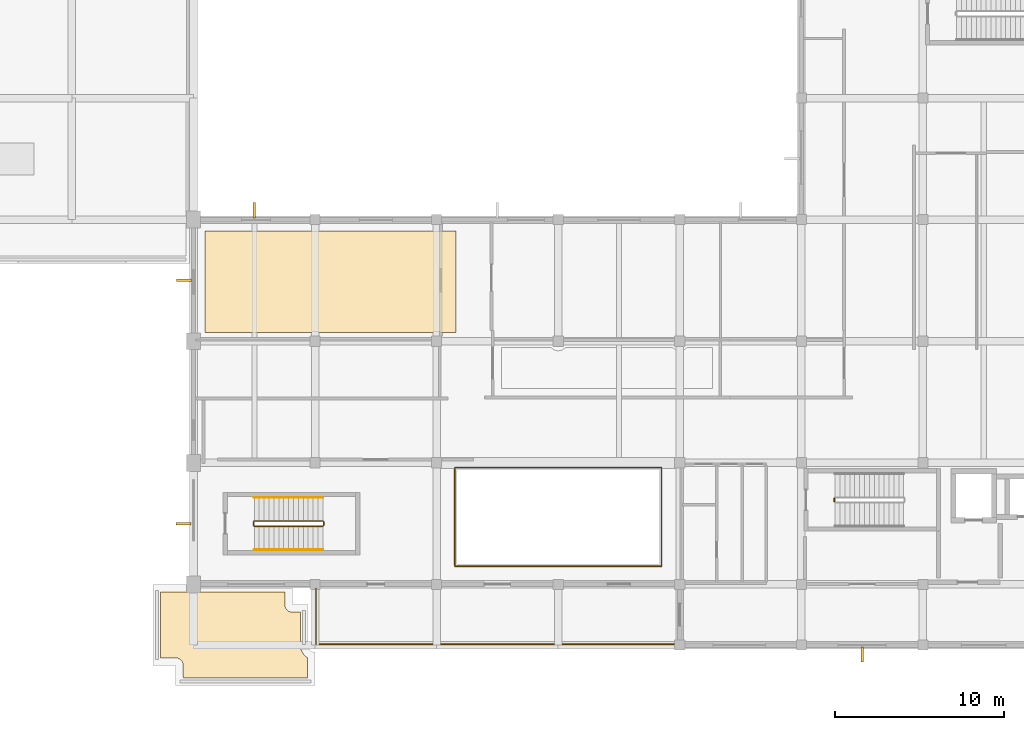
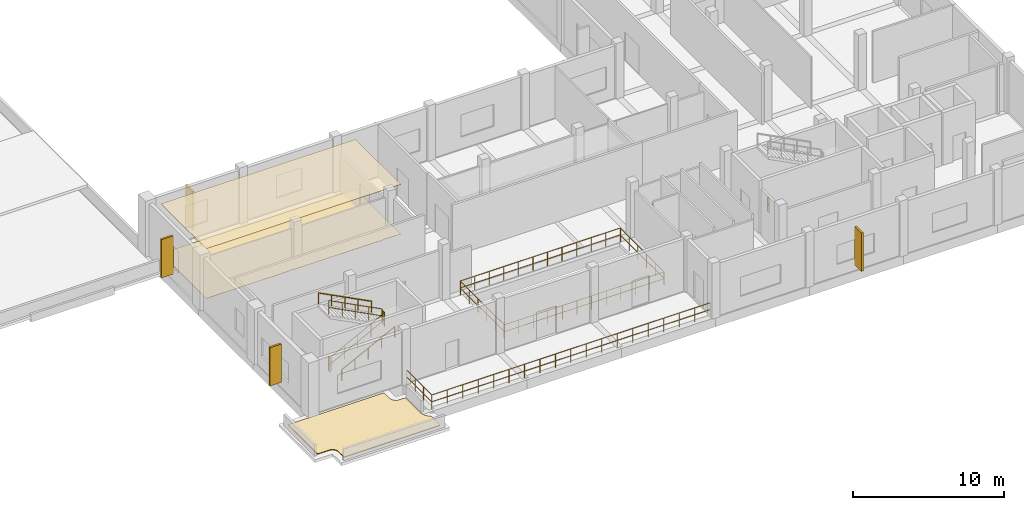
# One storey, part 9 of 14: 13 railings, 4 shading devices, 3 coverings.
"""IFC4 building model written with IfcOpenShell, lengths in metres."""

from ifc_helpers import new_model, si_unit, direction, frame, origin, origin_2d, place, context, subcontext, project, spatial, polyline, rectangle, circle, outline, extrude, material, layer, layer_set, type_object, element, save


model = new_model("IFC4")

# Units and contexts
model_context = context("Model", 3, precision=1e-05, world=origin(), true_north=direction((0.0, 1.0)))
body_context = subcontext(model_context, "Body", "Model", "MODEL_VIEW")
ifc_project = project(units=[si_unit("LENGTHUNIT", "METRE"), si_unit("AREAUNIT", "SQUARE_METRE"), si_unit("VOLUMEUNIT", "CUBIC_METRE"), si_unit("PLANEANGLEUNIT", "RADIAN"), si_unit("MASSUNIT", "GRAM", prefix="KILO")], contexts=[model_context])

# Site, building, storey
site_placement = place(None, origin())
site = spatial("IfcSite", under=ifc_project, at=site_placement, CompositionType="ELEMENT")
building_placement = place(site_placement, origin())
building = spatial("IfcBuilding", under=site, at=building_placement, Name="Seraya Terrace Polytechnic", CompositionType="ELEMENT")
storey_placement = place(building_placement, frame((0.0, 0.0, 27.89990234375)))
storey = spatial("IfcBuildingStorey", under=building, at=storey_placement, Name="L06", CompositionType="ELEMENT", Elevation=27.89990234375)

# Shading devices
ifc_material_1 = material(Name="Precast concrete C40/50", Category="concrete")
shading_device_type = type_object("IfcShadingDeviceType", Name="BS-F1", PredefinedType="JALOUSIE", material=ifc_material_1)
for number, where, z_axis, x_axis, name in (
    (1, (82.800048828125, 3.0400390625, 0.449951171875), (0.0, 0.0, 1.0), (0.0, -1.0, 0.0), "Precast concrete brise-soleil fin L06"),
    (2, (42.60498046875, 10.800048828125, 0.449951171875), (0.0, 0.0, 1.0), (-1.0, 0.0, 0.0), "Precast concrete brise-soleil fin L06"),
    (3, (42.639892578125, 25.199951171875, 0.449951171875), (0.0, 0.0, 1.0), (-1.0, 0.0, 0.0), "Precast concrete brise-soleil fin L06"),
    (4, (46.800048828125, 29.360107421875, 0.449951171875), (0.0, 0.0, 1.0), (0.0, 1.0, 0.0), "Precast concrete brise-soleil fin L06"),
):
    element("IfcShadingDevice", number, at=place(storey_placement, frame(where, z_axis=z_axis, x_axis=x_axis)), inside=storey, type_object=shading_device_type, Name=name, PredefinedType="JALOUSIE", context=body_context, shape_type="SweptSolid", body=[
        extrude(rectangle(XDim=0.89990234375, YDim=0.14990234375, at=origin_2d()), origin(), (0.0, 0.0, 1.0), 3.10009765625),
    ])

# Coverings
ifc_material_2 = material(Name="Acoustic mineral fibre and timber baffle ceiling", Category="wood")
ifc_layer_1 = layer(ifc_material_2, 0.0400390625, Name="CL-01")
ifc_layer_set_1 = layer_set([ifc_layer_1], Name="Acoustic mineral fibre and timber baffle ceiling")
covering_type_1 = type_object("IfcCoveringType", Name="CL-01", PredefinedType="CEILING", material=ifc_layer_set_1)
covering_1_placement = place(storey_placement, frame((0.0, 0.0, 4.010009765625)))
element("IfcCovering", 5, at=covering_1_placement, inside=storey, type_object=covering_type_1, Name="Acoustic suspended ceiling L06-A02", PredefinedType="CEILING", context=body_context, shape_type="SweptSolid", body=[
    extrude(outline(polyline([(57.81982421875, 22.130615234375), (57.60009765625, 22.17431640625), (57.364990234375, 22.123291015625), (50.635009765625, 22.123291015625), (50.39990234375, 22.17431640625), (50.164794921875, 22.123291015625), (43.8701171875, 22.123291015625), (43.8701171875, 28.1298828125), (58.760009765625, 28.1298828125), (58.760009765625, 22.123291015625), (57.81982421875, 22.130615234375)])), origin(), (0.0, 0.0, 1.0), 0.0400390625),
])
ifc_material_3 = material(Name="Heavy-duty epoxy and terrazzo floor finish")
ifc_layer_2 = layer(ifc_material_3, 0.02001953125, Name="FL-C1")
ifc_layer_set_2 = layer_set([ifc_layer_2], Name="Heavy-duty epoxy and terrazzo floor finish")
covering_type_2 = type_object("IfcCoveringType", Name="FL-C1", PredefinedType="FLOORING", material=ifc_layer_set_2)
covering_2_placement = place(storey_placement, origin())
element("IfcCovering", 6, at=covering_2_placement, inside=storey, type_object=covering_type_2, Name="Floor finish L06-A02", PredefinedType="FLOORING", context=body_context, shape_type="SweptSolid", body=[
    extrude(outline(polyline([(57.81982421875, 22.130615234375), (57.60009765625, 22.17431640625), (57.364990234375, 22.123291015625), (50.635009765625, 22.123291015625), (50.39990234375, 22.17431640625), (50.164794921875, 22.123291015625), (43.8701171875, 22.123291015625), (43.8701171875, 28.1298828125), (58.760009765625, 28.1298828125), (58.760009765625, 22.123291015625), (57.81982421875, 22.130615234375)])), origin(), (0.0, 0.0, 1.0), 0.02001953125),
])

# Railings
ifc_material_4 = material(Name="Steel S355J2", Category="steel")
railing_type_1 = type_object("IfcRailingType", Name="GR-01", PredefinedType="GUARDRAIL", material=ifc_material_4)
railing_1_placement = place(storey_placement, frame((50.4599609375, 3.659912109375, 0.0)))
element("IfcRailing", 7, at=railing_1_placement, inside=storey, type_object=railing_type_1, Name="Terrace perimeter guardrail TERR-L06-SW S1", PredefinedType="GUARDRAIL", context=body_context, shape_type="SweptSolid", body=[
    extrude(circle(Radius=0.02392578125, at=origin_2d()), frame((0.0, 0.0, 1.10595703125), z_axis=(1.0, 0.0, 0.0), x_axis=(0.0, 1.0, 0.0)), (0.0, 0.0, 1.0), 21.300048828125),
    extrude(circle(Radius=0.02392578125, at=origin_2d()), frame((0.0, 0.0, 0.550048828125), z_axis=(1.0, 0.0, 0.0), x_axis=(0.0, 1.0, 0.0)), (0.0, 0.0, 1.0), 21.300048828125),
    extrude(circle(Radius=0.02099609375, at=origin_2d()), origin(), (0.0, 0.0, 1.0), 1.081787109375),
    extrude(circle(Radius=0.02099609375, at=origin_2d()), frame((1.183349609375, 0.0, 0.0)), (0.0, 0.0, 1.0), 1.081787109375),
    extrude(circle(Radius=0.02099609375, at=origin_2d()), frame((2.36669921875, 0.0, 0.0)), (0.0, 0.0, 1.0), 1.081787109375),
    extrude(circle(Radius=0.02099609375, at=origin_2d()), frame((3.550048828125, 0.0, 0.0)), (0.0, 0.0, 1.0), 1.081787109375),
    extrude(circle(Radius=0.02099609375, at=origin_2d()), frame((4.7333984375, 0.0, 0.0)), (0.0, 0.0, 1.0), 1.081787109375),
    extrude(circle(Radius=0.02099609375, at=origin_2d()), frame((5.916748046875, 0.0, 0.0)), (0.0, 0.0, 1.0), 1.081787109375),
    extrude(circle(Radius=0.02099609375, at=origin_2d()), frame((7.10009765625, 0.0, 0.0)), (0.0, 0.0, 1.0), 1.081787109375),
    extrude(circle(Radius=0.02099609375, at=origin_2d()), frame((8.283447265625, 0.0, 0.0)), (0.0, 0.0, 1.0), 1.081787109375),
    extrude(circle(Radius=0.02099609375, at=origin_2d()), frame((9.466796875, 0.0, 0.0)), (0.0, 0.0, 1.0), 1.081787109375),
    extrude(circle(Radius=0.02099609375, at=origin_2d()), frame((10.64990234375, 0.0, 0.0)), (0.0, 0.0, 1.0), 1.081787109375),
    extrude(circle(Radius=0.02099609375, at=origin_2d()), frame((11.833251953125, 0.0, 0.0)), (0.0, 0.0, 1.0), 1.081787109375),
    extrude(circle(Radius=0.02099609375, at=origin_2d()), frame((13.0166015625, 0.0, 0.0)), (0.0, 0.0, 1.0), 1.081787109375),
    extrude(circle(Radius=0.02099609375, at=origin_2d()), frame((14.199951171875, 0.0, 0.0)), (0.0, 0.0, 1.0), 1.081787109375),
    extrude(circle(Radius=0.02099609375, at=origin_2d()), frame((15.38330078125, 0.0, 0.0)), (0.0, 0.0, 1.0), 1.081787109375),
    extrude(circle(Radius=0.02099609375, at=origin_2d()), frame((16.566650390625, 0.0, 0.0)), (0.0, 0.0, 1.0), 1.081787109375),
    extrude(circle(Radius=0.02099609375, at=origin_2d()), frame((17.75, 0.0, 0.0)), (0.0, 0.0, 1.0), 1.081787109375),
    extrude(circle(Radius=0.02099609375, at=origin_2d()), frame((18.933349609375, 0.0, 0.0)), (0.0, 0.0, 1.0), 1.081787109375),
    extrude(circle(Radius=0.02099609375, at=origin_2d()), frame((20.11669921875, 0.0, 0.0)), (0.0, 0.0, 1.0), 1.081787109375),
    extrude(circle(Radius=0.02099609375, at=origin_2d()), frame((21.300048828125, 0.0, 0.0)), (0.0, 0.0, 1.0), 1.081787109375),
])
railing_2_placement = place(storey_placement, frame((50.4599609375, 6.9599609375, 0.0)))
element("IfcRailing", 8, at=railing_2_placement, inside=storey, type_object=railing_type_1, Name="Terrace perimeter guardrail TERR-L06-SW W1", PredefinedType="GUARDRAIL", context=body_context, shape_type="SweptSolid", body=[
    extrude(circle(Radius=0.02392578125, at=origin_2d()), frame((0.0, 0.0, 1.10595703125), z_axis=(0.0, -1.0, 0.0), x_axis=(1.0, 0.0, 0.0)), (0.0, 0.0, 1.0), 3.300048828125),
    extrude(circle(Radius=0.02392578125, at=origin_2d()), frame((0.0, 0.0, 0.550048828125), z_axis=(0.0, -1.0, 0.0), x_axis=(1.0, 0.0, 0.0)), (0.0, 0.0, 1.0), 3.300048828125),
    extrude(circle(Radius=0.02099609375, at=origin_2d()), origin(), (0.0, 0.0, 1.0), 1.081787109375),
    extrude(circle(Radius=0.02099609375, at=origin_2d()), frame((0.0, -1.10009765625, 0.0)), (0.0, 0.0, 1.0), 1.081787109375),
    extrude(circle(Radius=0.02099609375, at=origin_2d()), frame((0.0, -2.199951171875, 0.0)), (0.0, 0.0, 1.0), 1.081787109375),
    extrude(circle(Radius=0.02099609375, at=origin_2d()), frame((0.0, -3.300048828125, 0.0)), (0.0, 0.0, 1.0), 1.081787109375),
])
railing_type_2 = type_object("IfcRailingType", Name="GR-02", PredefinedType="GUARDRAIL", material=ifc_material_4)
railing_3_placement = place(storey_placement, frame((81.14990234375, 12.10009765625, 0.0)))
element("IfcRailing", 9, at=railing_3_placement, inside=storey, type_object=railing_type_2, Name="L06 ST-01 stair guard 4", PredefinedType="GUARDRAIL", context=body_context, shape_type="SweptSolid", body=[
    extrude(circle(Radius=0.02392578125, at=origin_2d()), frame((0.0, 0.0, 1.10595703125), z_axis=(0.0, 1.0, 0.0), x_axis=(-1.0, 0.0, 0.0)), (0.0, 0.0, 1.0), 0.199951171875),
    extrude(circle(Radius=0.02392578125, at=origin_2d()), frame((0.0, 0.0, 0.550048828125), z_axis=(0.0, 1.0, 0.0), x_axis=(-1.0, 0.0, 0.0)), (0.0, 0.0, 1.0), 0.199951171875),
    extrude(circle(Radius=0.02099609375, at=origin_2d()), origin(), (0.0, 0.0, 1.0), 1.081787109375),
    extrude(circle(Radius=0.02099609375, at=origin_2d()), frame((0.0, 0.199951171875, 0.0)), (0.0, 0.0, 1.0), 1.081787109375),
])
railing_4_placement = place(storey_placement, frame((46.800048828125, 10.64990234375, 0.150146484375)))
element("IfcRailing", 10, at=railing_4_placement, inside=storey, type_object=railing_type_2, Name="L06 ST-03 stair guard 1", PredefinedType="GUARDRAIL", context=body_context, shape_type="SweptSolid", body=[
    extrude(circle(Radius=0.02392578125, at=origin_2d()), frame((0.0, 0.0, 1.10595703125), z_axis=(0.888233425583, 0.0, 0.459392404897), x_axis=(0.0, 1.0, 0.0)), (0.0, 0.0, 1.0), 4.571044921875),
    extrude(circle(Radius=0.02392578125, at=origin_2d()), frame((0.0, 0.0, 0.550048828125), z_axis=(0.888233425583, 0.0, 0.459392404897), x_axis=(0.0, 1.0, 0.0)), (0.0, 0.0, 1.0), 4.571044921875),
    extrude(circle(Radius=0.02099609375, at=origin_2d()), origin(), (0.0, 0.0, 1.0), 1.081787109375),
    extrude(circle(Radius=0.02099609375, at=origin_2d()), frame((1.01513671875, 0.0, 0.52490234375)), (0.0, 0.0, 1.0), 1.081787109375),
    extrude(circle(Radius=0.02099609375, at=origin_2d()), frame((2.030029296875, 0.0, 1.0498046875)), (0.0, 0.0, 1.0), 1.081787109375),
    extrude(circle(Radius=0.02099609375, at=origin_2d()), frame((3.044921875, 0.0, 1.574951171875)), (0.0, 0.0, 1.0), 1.081787109375),
    extrude(circle(Radius=0.02099609375, at=origin_2d()), frame((4.06005859375, 0.0, 2.099853515625)), (0.0, 0.0, 1.0), 1.081787109375),
])
railing_5_placement = place(storey_placement, frame((50.909912109375, 10.699951171875, 2.25)))
element("IfcRailing", 11, at=railing_5_placement, inside=storey, type_object=railing_type_2, Name="L06 ST-03 stair guard 2", PredefinedType="GUARDRAIL", context=body_context, shape_type="SweptSolid", body=[
    extrude(circle(Radius=0.02392578125, at=origin_2d()), frame((0.0, 0.0, 1.10595703125), z_axis=(0.0, 1.0, 0.0), x_axis=(-1.0, 0.0, 0.0)), (0.0, 0.0, 1.0), 0.199951171875),
    extrude(circle(Radius=0.02392578125, at=origin_2d()), frame((0.0, 0.0, 0.550048828125), z_axis=(0.0, 1.0, 0.0), x_axis=(-1.0, 0.0, 0.0)), (0.0, 0.0, 1.0), 0.199951171875),
    extrude(circle(Radius=0.02099609375, at=origin_2d()), origin(), (0.0, 0.0, 1.0), 1.081787109375),
    extrude(circle(Radius=0.02099609375, at=origin_2d()), frame((0.0, 0.199951171875, 0.0)), (0.0, 0.0, 1.0), 1.081787109375),
])
railing_6_placement = place(storey_placement, frame((50.860107421875, 10.949951171875, 2.400146484375)))
element("IfcRailing", 12, at=railing_6_placement, inside=storey, type_object=railing_type_2, Name="L06 ST-03 stair guard 3", PredefinedType="GUARDRAIL", context=body_context, shape_type="SweptSolid", body=[
    extrude(circle(Radius=0.02392578125, at=origin_2d()), frame((0.0, 0.0, 1.10595703125), z_axis=(-0.888233425583, 0.0, 0.459392404897), x_axis=(0.0, -1.0, 0.0)), (0.0, 0.0, 1.0), 4.571044921875),
    extrude(circle(Radius=0.02392578125, at=origin_2d()), frame((0.0, 0.0, 0.550048828125), z_axis=(-0.888233425583, 0.0, 0.459392404897), x_axis=(0.0, -1.0, 0.0)), (0.0, 0.0, 1.0), 4.571044921875),
    extrude(circle(Radius=0.02099609375, at=origin_2d()), origin(), (0.0, 0.0, 1.0), 1.081787109375),
    extrude(circle(Radius=0.02099609375, at=origin_2d()), frame((-1.01513671875, 0.0, 0.52490234375)), (0.0, 0.0, 1.0), 1.081787109375),
    extrude(circle(Radius=0.02099609375, at=origin_2d()), frame((-2.030029296875, 0.0, 1.0498046875)), (0.0, 0.0, 1.0), 1.081787109375),
    extrude(circle(Radius=0.02099609375, at=origin_2d()), frame((-3.044921875, 0.0, 1.574951171875)), (0.0, 0.0, 1.0), 1.081787109375),
    extrude(circle(Radius=0.02099609375, at=origin_2d()), frame((-4.06005859375, 0.0, 2.099853515625)), (0.0, 0.0, 1.0), 1.081787109375),
])
railing_7_placement = place(storey_placement, frame((46.75, 10.699951171875, 0.0)))
element("IfcRailing", 13, at=railing_7_placement, inside=storey, type_object=railing_type_2, Name="L06 ST-03 stair guard 4", PredefinedType="GUARDRAIL", context=body_context, shape_type="SweptSolid", body=[
    extrude(circle(Radius=0.02392578125, at=origin_2d()), frame((0.0, 0.0, 1.10595703125), z_axis=(0.0, 1.0, 0.0), x_axis=(-1.0, 0.0, 0.0)), (0.0, 0.0, 1.0), 0.199951171875),
    extrude(circle(Radius=0.02392578125, at=origin_2d()), frame((0.0, 0.0, 0.550048828125), z_axis=(0.0, 1.0, 0.0), x_axis=(-1.0, 0.0, 0.0)), (0.0, 0.0, 1.0), 0.199951171875),
    extrude(circle(Radius=0.02099609375, at=origin_2d()), origin(), (0.0, 0.0, 1.0), 1.081787109375),
    extrude(circle(Radius=0.02099609375, at=origin_2d()), frame((0.0, 0.199951171875, 0.0)), (0.0, 0.0, 1.0), 1.081787109375),
])
railing_8_placement = place(storey_placement, frame((58.679931640625, 8.280029296875, 0.0)))
element("IfcRailing", 14, at=railing_8_placement, inside=storey, type_object=railing_type_2, Name="Atrium void perimeter guardrail VOID-LIB-L06 S", PredefinedType="GUARDRAIL", context=body_context, shape_type="SweptSolid", body=[
    extrude(circle(Radius=0.02392578125, at=origin_2d()), frame((0.0, 0.0, 1.10595703125), z_axis=(1.0, 0.0, 0.0), x_axis=(0.0, 1.0, 0.0)), (0.0, 0.0, 1.0), 12.239990234375),
    extrude(circle(Radius=0.02392578125, at=origin_2d()), frame((0.0, 0.0, 0.550048828125), z_axis=(1.0, 0.0, 0.0), x_axis=(0.0, 1.0, 0.0)), (0.0, 0.0, 1.0), 12.239990234375),
    extrude(circle(Radius=0.02099609375, at=origin_2d()), origin(), (0.0, 0.0, 1.0), 1.081787109375),
    extrude(circle(Radius=0.02099609375, at=origin_2d()), frame((1.11279296875, 0.0, 0.0)), (0.0, 0.0, 1.0), 1.081787109375),
    extrude(circle(Radius=0.02099609375, at=origin_2d()), frame((2.225341796875, 0.0, 0.0)), (0.0, 0.0, 1.0), 1.081787109375),
    extrude(circle(Radius=0.02099609375, at=origin_2d()), frame((3.338134765625, 0.0, 0.0)), (0.0, 0.0, 1.0), 1.081787109375),
    extrude(circle(Radius=0.02099609375, at=origin_2d()), frame((4.450927734375, 0.0, 0.0)), (0.0, 0.0, 1.0), 1.081787109375),
    extrude(circle(Radius=0.02099609375, at=origin_2d()), frame((5.563720703125, 0.0, 0.0)), (0.0, 0.0, 1.0), 1.081787109375),
    extrude(circle(Radius=0.02099609375, at=origin_2d()), frame((6.67626953125, 0.0, 0.0)), (0.0, 0.0, 1.0), 1.081787109375),
    extrude(circle(Radius=0.02099609375, at=origin_2d()), frame((7.7890625, 0.0, 0.0)), (0.0, 0.0, 1.0), 1.081787109375),
    extrude(circle(Radius=0.02099609375, at=origin_2d()), frame((8.90185546875, 0.0, 0.0)), (0.0, 0.0, 1.0), 1.081787109375),
    extrude(circle(Radius=0.02099609375, at=origin_2d()), frame((10.0146484375, 0.0, 0.0)), (0.0, 0.0, 1.0), 1.081787109375),
    extrude(circle(Radius=0.02099609375, at=origin_2d()), frame((11.127197265625, 0.0, 0.0)), (0.0, 0.0, 1.0), 1.081787109375),
    extrude(circle(Radius=0.02099609375, at=origin_2d()), frame((12.239990234375, 0.0, 0.0)), (0.0, 0.0, 1.0), 1.081787109375),
])
railing_9_placement = place(storey_placement, frame((58.679931640625, 14.1201171875, 0.0)))
element("IfcRailing", 15, at=railing_9_placement, inside=storey, type_object=railing_type_2, Name="Atrium void perimeter guardrail VOID-LIB-L06 N", PredefinedType="GUARDRAIL", context=body_context, shape_type="SweptSolid", body=[
    extrude(circle(Radius=0.02392578125, at=origin_2d()), frame((0.0, 0.0, 1.10595703125), z_axis=(1.0, 0.0, 0.0), x_axis=(0.0, 1.0, 0.0)), (0.0, 0.0, 1.0), 12.239990234375),
    extrude(circle(Radius=0.02392578125, at=origin_2d()), frame((0.0, 0.0, 0.550048828125), z_axis=(1.0, 0.0, 0.0), x_axis=(0.0, 1.0, 0.0)), (0.0, 0.0, 1.0), 12.239990234375),
    extrude(circle(Radius=0.02099609375, at=origin_2d()), origin(), (0.0, 0.0, 1.0), 1.081787109375),
    extrude(circle(Radius=0.02099609375, at=origin_2d()), frame((1.11279296875, 0.0, 0.0)), (0.0, 0.0, 1.0), 1.081787109375),
    extrude(circle(Radius=0.02099609375, at=origin_2d()), frame((2.225341796875, 0.0, 0.0)), (0.0, 0.0, 1.0), 1.081787109375),
    extrude(circle(Radius=0.02099609375, at=origin_2d()), frame((3.338134765625, 0.0, 0.0)), (0.0, 0.0, 1.0), 1.081787109375),
    extrude(circle(Radius=0.02099609375, at=origin_2d()), frame((4.450927734375, 0.0, 0.0)), (0.0, 0.0, 1.0), 1.081787109375),
    extrude(circle(Radius=0.02099609375, at=origin_2d()), frame((5.563720703125, 0.0, 0.0)), (0.0, 0.0, 1.0), 1.081787109375),
    extrude(circle(Radius=0.02099609375, at=origin_2d()), frame((6.67626953125, 0.0, 0.0)), (0.0, 0.0, 1.0), 1.081787109375),
    extrude(circle(Radius=0.02099609375, at=origin_2d()), frame((7.7890625, 0.0, 0.0)), (0.0, 0.0, 1.0), 1.081787109375),
    extrude(circle(Radius=0.02099609375, at=origin_2d()), frame((8.90185546875, 0.0, 0.0)), (0.0, 0.0, 1.0), 1.081787109375),
    extrude(circle(Radius=0.02099609375, at=origin_2d()), frame((10.0146484375, 0.0, 0.0)), (0.0, 0.0, 1.0), 1.081787109375),
    extrude(circle(Radius=0.02099609375, at=origin_2d()), frame((11.127197265625, 0.0, 0.0)), (0.0, 0.0, 1.0), 1.081787109375),
    extrude(circle(Radius=0.02099609375, at=origin_2d()), frame((12.239990234375, 0.0, 0.0)), (0.0, 0.0, 1.0), 1.081787109375),
])
for number, where, name in (
    (16, (58.679931640625, 8.340087890625, 0.0), "Atrium void perimeter guardrail VOID-LIB-L06 W"),
    (17, (70.919921875, 8.340087890625, 0.0), "Atrium void perimeter guardrail VOID-LIB-L06 E"),
):
    element("IfcRailing", number, at=place(storey_placement, frame(where)), inside=storey, type_object=railing_type_2, Name=name, PredefinedType="GUARDRAIL", context=body_context, shape_type="SweptSolid", body=[
        extrude(circle(Radius=0.02392578125, at=origin_2d()), frame((0.0, 0.0, 1.10595703125), z_axis=(0.0, 1.0, 0.0), x_axis=(-1.0, 0.0, 0.0)), (0.0, 0.0, 1.0), 5.719970703125),
        extrude(circle(Radius=0.02392578125, at=origin_2d()), frame((0.0, 0.0, 0.550048828125), z_axis=(0.0, 1.0, 0.0), x_axis=(-1.0, 0.0, 0.0)), (0.0, 0.0, 1.0), 5.719970703125),
        extrude(circle(Radius=0.02099609375, at=origin_2d()), origin(), (0.0, 0.0, 1.0), 1.081787109375),
        extrude(circle(Radius=0.02099609375, at=origin_2d()), frame((0.0, 1.14404296875, 0.0)), (0.0, 0.0, 1.0), 1.081787109375),
        extrude(circle(Radius=0.02099609375, at=origin_2d()), frame((0.0, 2.2880859375, 0.0)), (0.0, 0.0, 1.0), 1.081787109375),
        extrude(circle(Radius=0.02099609375, at=origin_2d()), frame((0.0, 3.431884765625, 0.0)), (0.0, 0.0, 1.0), 1.081787109375),
        extrude(circle(Radius=0.02099609375, at=origin_2d()), frame((0.0, 4.575927734375, 0.0)), (0.0, 0.0, 1.0), 1.081787109375),
        extrude(circle(Radius=0.02099609375, at=origin_2d()), frame((0.0, 5.719970703125, 0.0)), (0.0, 0.0, 1.0), 1.081787109375),
    ])
railing_type_3 = type_object("IfcRailingType", Name="HR-01", PredefinedType="HANDRAIL", material=ifc_material_4)
railing_10_placement = place(storey_placement, frame((46.800048828125, 9.25, 0.150146484375)))
element("IfcRailing", 18, at=railing_10_placement, inside=storey, type_object=railing_type_3, Name="L06 ST-03 stair handrail 1", PredefinedType="HANDRAIL", context=body_context, shape_type="SweptSolid", body=[
    extrude(circle(Radius=0.02392578125, at=origin_2d()), frame((0.0, 0.0, 0.8759765625), z_axis=(0.888233425583, 0.0, 0.459392404897), x_axis=(0.0, 1.0, 0.0)), (0.0, 0.0, 1.0), 4.571044921875),
    extrude(circle(Radius=0.02099609375, at=origin_2d()), origin(), (0.0, 0.0, 1.0), 0.851806640625),
    extrude(circle(Radius=0.02099609375, at=origin_2d()), frame((1.01513671875, 0.0, 0.52490234375)), (0.0, 0.0, 1.0), 0.851806640625),
    extrude(circle(Radius=0.02099609375, at=origin_2d()), frame((2.030029296875, 0.0, 1.0498046875)), (0.0, 0.0, 1.0), 0.851806640625),
    extrude(circle(Radius=0.02099609375, at=origin_2d()), frame((3.044921875, 0.0, 1.574951171875)), (0.0, 0.0, 1.0), 0.851806640625),
    extrude(circle(Radius=0.02099609375, at=origin_2d()), frame((4.06005859375, 0.0, 2.099853515625)), (0.0, 0.0, 1.0), 0.851806640625),
])
railing_11_placement = place(storey_placement, frame((50.860107421875, 12.35009765625, 2.400146484375)))
element("IfcRailing", 19, at=railing_11_placement, inside=storey, type_object=railing_type_3, Name="L06 ST-03 stair handrail 2", PredefinedType="HANDRAIL", context=body_context, shape_type="SweptSolid", body=[
    extrude(circle(Radius=0.02392578125, at=origin_2d()), frame((0.0, 0.0, 0.8759765625), z_axis=(-0.888233425583, 0.0, 0.459392404897), x_axis=(0.0, -1.0, 0.0)), (0.0, 0.0, 1.0), 4.571044921875),
    extrude(circle(Radius=0.02099609375, at=origin_2d()), origin(), (0.0, 0.0, 1.0), 0.851806640625),
    extrude(circle(Radius=0.02099609375, at=origin_2d()), frame((-1.01513671875, 0.0, 0.52490234375)), (0.0, 0.0, 1.0), 0.851806640625),
    extrude(circle(Radius=0.02099609375, at=origin_2d()), frame((-2.030029296875, 0.0, 1.0498046875)), (0.0, 0.0, 1.0), 0.851806640625),
    extrude(circle(Radius=0.02099609375, at=origin_2d()), frame((-3.044921875, 0.0, 1.574951171875)), (0.0, 0.0, 1.0), 0.851806640625),
    extrude(circle(Radius=0.02099609375, at=origin_2d()), frame((-4.06005859375, 0.0, 2.099853515625)), (0.0, 0.0, 1.0), 0.851806640625),
])

# Covering
ifc_material_5 = material(Name="Insulated TPO waterproof roofing membrane")
ifc_layer_3 = layer(ifc_material_5, 0.06005859375, Name="RF-C1")
ifc_layer_set_3 = layer_set([ifc_layer_3], Name="Insulated TPO waterproof roofing membrane")
covering_type_3 = type_object("IfcCoveringType", Name="RF-C1", PredefinedType="ROOFING", material=ifc_layer_set_3)
covering_3_placement = place(storey_placement, origin())
element("IfcCovering", 20, at=covering_3_placement, inside=storey, type_object=covering_type_3, Name="Waterproof TPO roof covering ROOF-L06-SW", PredefinedType="ROOFING", context=body_context, shape_type="SweptSolid", body=[
    extrude(outline(polyline([(49.949951171875, 1.64990234375), (42.593994140625, 1.64990234375), (42.58544921875, 2.48779296875), (42.541015625, 2.612060546875), (42.429443359375, 2.747802734375), (42.316162109375, 2.815673828125), (42.18798828125, 2.847900390625), (41.25, 2.85009765625), (41.25, 6.75), (48.60595703125, 6.75), (48.608154296875, 5.955810546875), (48.640380859375, 5.827880859375), (48.7080078125, 5.714599609375), (48.843994140625, 5.60302734375), (48.96826171875, 5.55859375), (49.530517578125, 5.550048828125), (49.5341796875, 3.514404296875), (49.5673828125, 3.347412109375), (49.655517578125, 3.152099609375), (49.757080078125, 3.015380859375), (49.84814453125, 2.927490234375), (49.949951171875, 2.856689453125), (49.949951171875, 1.64990234375)])), origin(), (0.0, 0.0, 1.0), 0.06005859375),
])

save(model, "model.ifc")
